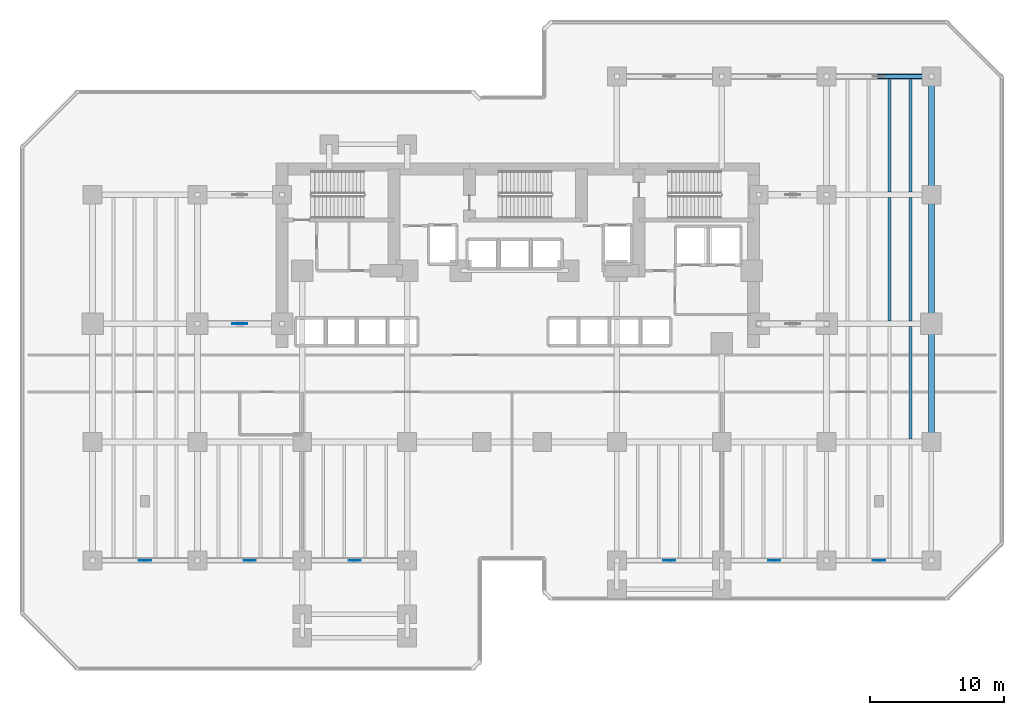
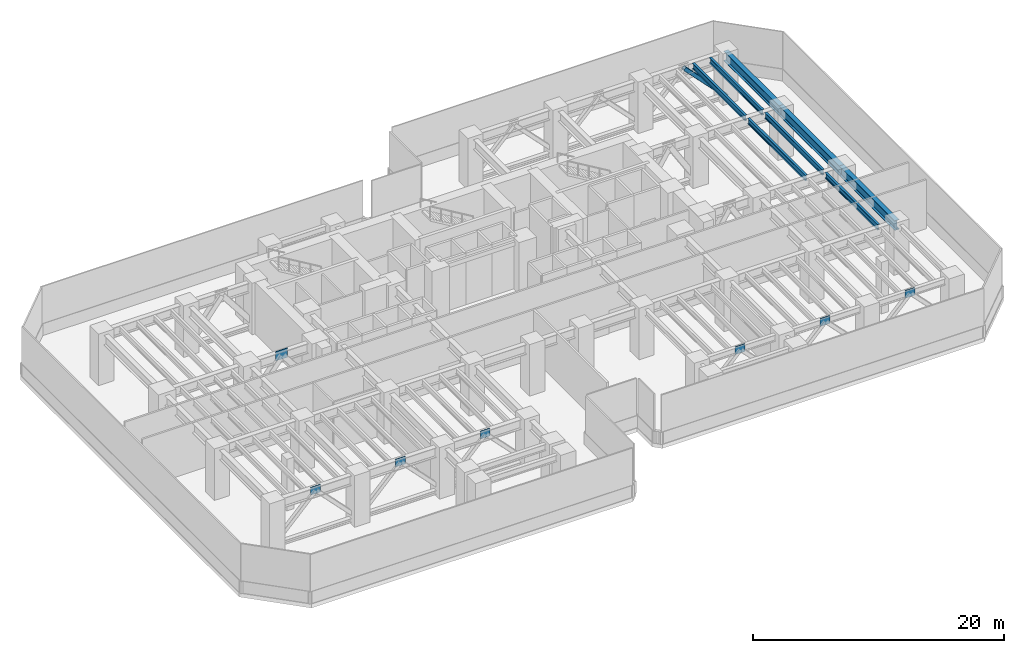
# One storey, part 3 of 13: 8 beams, 7 plates, 1 member.
"""IFC4 building model written with IfcOpenShell, lengths in metres."""

import ifcopenshell
import ifcopenshell.guid

model = None  # the IFC model being written
_history = None  # IfcOwnerHistory: only IFC2X3 demands one
_inside = {}  # id of a spatial element -> (the spatial element, [elements in it])
_under = {}  # id of a project, library or spatial element -> (it, [spatial elements below it])
_declared = {}  # id of a project -> (the project, [libraries it declares])
_typed = {}  # id of a type object -> (the type object, [elements of that type])
_made_of = {}  # id of a material, layer set ... -> (it, [elements and type objects made of it])


def new_model(schema):
    """Start an empty IFC model of exactly this schema.

    Asked for "IFC4X3", IfcOpenShell would pick the latest addendum, in which some entities
    have other attributes; the version numbers below select the first issue.
    IFC2X3 requires an IfcOwnerHistory on every rooted entity: one is made here for all.
    """
    global model, _history
    if schema == "IFC4X3":
        model = ifcopenshell.file(schema_version=(4, 3, 0, 0))
    else:
        model = ifcopenshell.file(schema=schema)
    _inside.clear()
    _under.clear()
    _declared.clear()
    _typed.clear()
    _made_of.clear()
    _history = None
    if model.schema == "IFC2X3":
        org = make("IfcOrganization", Name="unknown")
        user = make(
            "IfcPersonAndOrganization",
            ThePerson=make("IfcPerson", FamilyName="unknown"),
            TheOrganization=org,
        )
        app = make(
            "IfcApplication",
            ApplicationDeveloper=org,
            Version="unknown",
            ApplicationFullName="unknown",
            ApplicationIdentifier="unknown",
        )
        _history = make(
            "IfcOwnerHistory",
            OwningUser=user,
            OwningApplication=app,
            ChangeAction="ADDED",
            CreationDate=0,
        )
    return model


def make(cls, **values):
    """One entity of the class cls with the attributes given. An attribute that is None is left unset."""
    return model.create_entity(
        cls, **{name: value for name, value in values.items() if value is not None}
    )


def rooted(cls, **values):
    """An entity with a GlobalId (a new one), such as an element, a storey or a relation."""
    return make(cls, GlobalId=ifcopenshell.guid.new(), OwnerHistory=_history, **values)


def si_unit(unit_type, name, prefix=None):
    """IfcSIUnit, for example si_unit("LENGTHUNIT", "METRE", prefix="MILLI")."""
    return make("IfcSIUnit", UnitType=unit_type, Prefix=prefix, Name=name)


def assignment(units):
    """IfcUnitAssignment: the units of a project."""
    return None if units is None else make("IfcUnitAssignment", Units=units)


def point(xyz):
    """IfcCartesianPoint."""
    return None if xyz is None else make("IfcCartesianPoint", Coordinates=xyz)


def direction(xyz):
    """IfcDirection."""
    return None if xyz is None else make("IfcDirection", DirectionRatios=xyz)


def frame(location, z_axis=None, x_axis=None):
    """IfcAxis2Placement3D, a coordinate frame: its origin and axes. An axis left out is left unset."""
    return make(
        "IfcAxis2Placement3D",
        Location=point(location),
        Axis=direction(z_axis),
        RefDirection=direction(x_axis),
    )


def frame_2d(location, x_axis=None):
    """IfcAxis2Placement2D, a coordinate frame in the plane: its origin and x axis."""
    return make(
        "IfcAxis2Placement2D", Location=point(location), RefDirection=direction(x_axis)
    )


def origin():
    """The frame at (0, 0, 0) with its axes left unset."""
    return frame((0.0, 0.0, 0.0))


def origin_2d():
    """The frame at (0, 0) in the plane with its x axis left unset."""
    return frame_2d((0.0, 0.0))


def place(relative_to, where):
    """IfcLocalPlacement: puts the frame where relative to a parent placement (None: the world)."""
    return make(
        "IfcLocalPlacement", PlacementRelTo=relative_to, RelativePlacement=where
    )


def context(
    kind, dimensions, precision=None, world=None, true_north=None, identifier=None
):
    """IfcGeometricRepresentationContext, for example the 3D "Model" context."""
    return make(
        "IfcGeometricRepresentationContext",
        ContextIdentifier=identifier,
        ContextType=kind,
        CoordinateSpaceDimension=dimensions,
        Precision=precision,
        WorldCoordinateSystem=world,
        TrueNorth=true_north,
    )


def subcontext(parent, identifier, kind, view, scale=None):
    """IfcGeometricRepresentationSubContext, for example "Body" below "Model"."""
    return make(
        "IfcGeometricRepresentationSubContext",
        ContextIdentifier=identifier,
        ContextType=kind,
        ParentContext=parent,
        TargetScale=scale,
        TargetView=view,
    )


def project(units=None, contexts=None):
    """IfcProject with its units and contexts."""
    return rooted(
        "IfcProject",
        Name="project",
        RepresentationContexts=contexts,
        UnitsInContext=assignment(units),
    )


def spatial(cls, under=None, at=None, **own):
    """A site, building, storey or space (cls), placed at a placement, below another one or the project."""
    s = rooted(cls, ObjectPlacement=at, **own)
    if under is not None:
        _under.setdefault(under.id(), (under, []))[1].append(s)
    return s


def profile(cls, at=None, kind="AREA", **sizes):
    """A parametric profile (cls). Its sizes go by their IFC names, for example OverallWidth=200.0."""
    return make(cls, ProfileType=kind, Position=at, **sizes)


def rectangle(**sizes):
    """IfcRectangleProfileDef."""
    return profile("IfcRectangleProfileDef", **sizes)


def hollow_rectangle(**sizes):
    """IfcRectangleHollowProfileDef."""
    return profile("IfcRectangleHollowProfileDef", **sizes)


def i_section(**sizes):
    """IfcIShapeProfileDef."""
    return profile("IfcIShapeProfileDef", **sizes)


def extrude(swept, where, along, depth):
    """IfcExtrudedAreaSolid: the profile swept, set in the frame where, extruded along a direction by depth."""
    return make(
        "IfcExtrudedAreaSolid",
        SweptArea=swept,
        Position=where,
        ExtrudedDirection=direction(along),
        Depth=depth,
    )


def shape(context_of_items, identifier, shape_type, items):
    """IfcShapeRepresentation: the items that make up one representation, for example the "Body"."""
    return make(
        "IfcShapeRepresentation",
        ContextOfItems=context_of_items,
        RepresentationIdentifier=identifier,
        RepresentationType=shape_type,
        Items=items,
    )


def material(Name=None, Category=None):
    """IfcMaterial."""
    return make("IfcMaterial", Name=Name, Category=Category)


def layer(
    of_material, thickness, ventilated=None, Name=None, Category=None, Priority=None
):
    """IfcMaterialLayer: one layer of a wall or slab, of a material (None: an air gap)."""
    return make(
        "IfcMaterialLayer",
        Material=of_material,
        LayerThickness=thickness,
        IsVentilated=ventilated,
        Name=Name,
        Category=Category,
        Priority=Priority,
    )


def layer_set(layers, Name=None):
    """IfcMaterialLayerSet."""
    return make("IfcMaterialLayerSet", MaterialLayers=layers, LayerSetName=Name)


def material_profile(
    of_material, cross_section, Name=None, Category=None, Priority=None
):
    """IfcMaterialProfile: a cross section and its material."""
    return make(
        "IfcMaterialProfile",
        Name=Name,
        Material=of_material,
        Profile=cross_section,
        Priority=Priority,
        Category=Category,
    )


def profile_set(profiles, Name=None, composite=None):
    """IfcMaterialProfileSet."""
    return make(
        "IfcMaterialProfileSet",
        Name=Name,
        MaterialProfiles=profiles,
        CompositeProfile=composite,
    )


def made_of(thing, what):
    """Note that an element or type object is made of a material, layer set ...; save() writes the relation."""
    if what is not None:
        _made_of.setdefault(what.id(), (what, []))[1].append(thing)
    return thing


def type_object(cls, material=None, **own):
    """A type object (cls), such as IfcWallType, which elements share."""
    return made_of(rooted(cls, **own), material)


def element(
    cls,
    number,
    at=None,
    inside=None,
    cuts=None,
    type_object=None,
    material=None,
    context=None,
    identifier="Body",
    shape_type=None,
    held_by="IfcProductDefinitionShape",
    body=None,
    shapes=None,
    **own,
):
    """One element of the class cls, such as IfcWall. Its Tag is "e" and its number.

    at: its placement. inside: the storey or other place that contains it. cuts: it is an
    opening in that element (IfcRelVoidsElement). A single representation is given by context,
    identifier, shape_type and body (its items); several are given by shapes. held_by: the class
    of the entity that holds the representations. save() writes the other relations.
    """
    e = rooted(cls, Tag="e%d" % number, ObjectPlacement=at, **own)
    if body is not None:
        shapes = [shape(context, identifier, shape_type, body)]
    if shapes is not None:
        e.Representation = make(held_by, Representations=shapes)
    if inside is not None:
        _inside.setdefault(inside.id(), (inside, []))[1].append(e)
    if cuts is not None:
        rooted(
            "IfcRelVoidsElement", RelatingBuildingElement=cuts, RelatedOpeningElement=e
        )
    if type_object is not None:
        _typed.setdefault(type_object.id(), (type_object, []))[1].append(e)
    return made_of(e, material)


def aggregate(whole, parts):
    """IfcRelAggregates: a whole, such as a stair, and the parts it consists of."""
    return rooted("IfcRelAggregates", RelatingObject=whole, RelatedObjects=parts)


def save(model, path):
    """Write the relations noted so far, then the file.

    IfcRelAggregates (storeys below a building ...), IfcRelContainedInSpatialStructure (elements
    in a storey), IfcRelDefinesByType, IfcRelAssociatesMaterial and IfcRelDeclares: one each for
    every whole, place, type object, material and project.
    """
    for whole, parts in _under.values():
        aggregate(whole, parts)
    for where, things in _inside.values():
        rooted(
            "IfcRelContainedInSpatialStructure",
            RelatedElements=things,
            RelatingStructure=where,
        )
    for kind, things in _typed.values():
        rooted("IfcRelDefinesByType", RelatedObjects=things, RelatingType=kind)
    for what, things in _made_of.values():
        rooted("IfcRelAssociatesMaterial", RelatedObjects=things, RelatingMaterial=what)
    for by, libraries in _declared.values():
        rooted("IfcRelDeclares", RelatingContext=by, RelatedDefinitions=libraries)
    model.write(path)


model = new_model("IFC4")

# Units and contexts
model_context = context("Model", 3, precision=1e-05, world=origin(), true_north=direction((0.0, 1.0)))
body_context = subcontext(model_context, "Body", "Model", "MODEL_VIEW")
ifc_project = project(units=[si_unit("LENGTHUNIT", "METRE"), si_unit("AREAUNIT", "SQUARE_METRE"), si_unit("VOLUMEUNIT", "CUBIC_METRE"), si_unit("PLANEANGLEUNIT", "RADIAN"), si_unit("MASSUNIT", "GRAM", prefix="KILO")], contexts=[model_context])

# Site, building, storey
site_placement = place(None, origin())
site = spatial("IfcSite", under=ifc_project, at=site_placement, CompositionType="ELEMENT")
building_placement = place(site_placement, origin())
building = spatial("IfcBuilding", under=site, at=building_placement, Name="Kestravale Grand Hotel", CompositionType="ELEMENT")
storey_placement = place(building_placement, frame((0.0, 0.0, 75.39990234375)))
storey = spatial("IfcBuildingStorey", under=building, at=storey_placement, Name="L18", CompositionType="ELEMENT", Elevation=75.39990234375)

# Beams
ifc_material_1 = material(Name="Steel ASTM A992 Grade 50", Category="steel")
ifc_material_profile_1 = material_profile(ifc_material_1, i_section(OverallWidth=0.2099609375, OverallDepth=0.535888671875, WebThickness=0.010986328125, FlangeThickness=0.017333984375, FilletRadius=0.017578125, at=origin_2d()))
ifc_profile_set_1 = profile_set([ifc_material_profile_1], Name="Steel ASTM A992 Grade 50")
beam_type_1 = type_object("IfcBeamType", Name="B-FLR-JST21", PredefinedType="JOIST", material=ifc_profile_set_1)
beam_1_placement = place(storey_placement, frame((68.639892578125, 20.2119140625, 4.442138671875), z_axis=(0.0, 1.0, 0.0), x_axis=(-1.0, 0.0, 0.0)))
element("IfcBeam", 1, at=beam_1_placement, inside=storey, type_object=beam_type_1, Name="L18 floor joist 10-11/D-E #4", PredefinedType="JOIST", context=body_context, shape_type="SweptSolid", body=[
    extrude(i_section(OverallWidth=0.2099609375, OverallDepth=0.535888671875, WebThickness=0.010986328125, FlangeThickness=0.017333984375, FilletRadius=0.017578125, at=origin_2d()), origin(), (0.0, 0.0, 1.0), 8.3759765625),
])
for number, where, z_axis, x_axis, name in (
    (2, (67.080078125, 29.011962890625, 4.442138671875), (0.0, 1.0, 0.0), (-1.0, 0.0, 0.0), "L18 floor joist 10-11/E-F #3"),
    (3, (68.639892578125, 29.011962890625, 4.442138671875), (0.0, 1.0, 0.0), (-1.0, 0.0, 0.0), "L18 floor joist 10-11/E-F #4"),
):
    element("IfcBeam", number, at=place(storey_placement, frame(where, z_axis=z_axis, x_axis=x_axis)), inside=storey, type_object=beam_type_1, Name=name, PredefinedType="JOIST", context=body_context, shape_type="SweptSolid", body=[
        extrude(i_section(OverallWidth=0.2099609375, OverallDepth=0.535888671875, WebThickness=0.010986328125, FlangeThickness=0.017333984375, FilletRadius=0.017578125, at=origin_2d()), origin(), (0.0, 0.0, 1.0), 9.176025390625),
    ])
for number, where, z_axis, x_axis, name in (
    (4, (67.080078125, 38.612060546875, 4.442138671875), (0.0, 1.0, 0.0), (-1.0, 0.0, 0.0), "L18 floor joist 10-11/F-G #3"),
    (5, (68.639892578125, 38.612060546875, 4.442138671875), (0.0, 1.0, 0.0), (-1.0, 0.0, 0.0), "L18 floor joist 10-11/F-G #4"),
):
    element("IfcBeam", number, at=place(storey_placement, frame(where, z_axis=z_axis, x_axis=x_axis)), inside=storey, type_object=beam_type_1, Name=name, PredefinedType="JOIST", context=body_context, shape_type="SweptSolid", body=[
        extrude(i_section(OverallWidth=0.2099609375, OverallDepth=0.535888671875, WebThickness=0.010986328125, FlangeThickness=0.017333984375, FilletRadius=0.017578125, at=origin_2d()), origin(), (0.0, 0.0, 1.0), 8.3759765625),
    ])
ifc_material_2 = material(Name="Steel ASTM A992 Grade 50", Category="steel")
ifc_material_profile_2 = material_profile(ifc_material_2, i_section(OverallWidth=0.424072265625, OverallDepth=0.947021484375, WebThickness=0.02392578125, FlangeThickness=0.042724609375, FilletRadius=0.0283203125, at=origin_2d()))
ifc_profile_set_2 = profile_set([ifc_material_profile_2], Name="Steel ASTM A992 Grade 50")
beam_type_2 = type_object("IfcBeamType", Name="B-GRD-W36", PredefinedType="BEAM", material=ifc_profile_set_2)
beam_2_placement = place(storey_placement, frame((70.199951171875, 20.0, 4.236572265625), z_axis=(0.0, 1.0, 0.0), x_axis=(-1.0, 0.0, 0.0)))
element("IfcBeam", 6, at=beam_2_placement, inside=storey, type_object=beam_type_2, Name="L18 girder 11:D-E", PredefinedType="BEAM", context=body_context, shape_type="SweptSolid", body=[
    extrude(i_section(OverallWidth=0.424072265625, OverallDepth=0.947021484375, WebThickness=0.02392578125, FlangeThickness=0.042724609375, FilletRadius=0.0283203125, at=origin_2d()), origin(), (0.0, 0.0, 1.0), 8.800048828125),
])
beam_3_placement = place(storey_placement, frame((70.199951171875, 28.800048828125, 4.236572265625), z_axis=(0.0, 1.0, 0.0), x_axis=(-1.0, 0.0, 0.0)))
element("IfcBeam", 7, at=beam_3_placement, inside=storey, type_object=beam_type_2, Name="L18 girder 11:E-F", PredefinedType="BEAM", context=body_context, shape_type="SweptSolid", body=[
    extrude(i_section(OverallWidth=0.424072265625, OverallDepth=0.947021484375, WebThickness=0.02392578125, FlangeThickness=0.042724609375, FilletRadius=0.0283203125, at=origin_2d()), origin(), (0.0, 0.0, 1.0), 9.599853515625),
])
beam_4_placement = place(storey_placement, frame((70.199951171875, 38.39990234375, 4.236572265625), z_axis=(0.0, 1.0, 0.0), x_axis=(-1.0, 0.0, 0.0)))
element("IfcBeam", 8, at=beam_4_placement, inside=storey, type_object=beam_type_2, Name="L18 girder 11:F-G", PredefinedType="BEAM", context=body_context, shape_type="SweptSolid", body=[
    extrude(i_section(OverallWidth=0.424072265625, OverallDepth=0.947021484375, WebThickness=0.02392578125, FlangeThickness=0.042724609375, FilletRadius=0.0283203125, at=origin_2d()), origin(), (0.0, 0.0, 1.0), 8.800048828125),
])

# Member
ifc_material_3 = material(Name="Steel ASTM A500 Grade C", Category="steel")
ifc_material_profile_3 = material_profile(ifc_material_3, hollow_rectangle(XDim=0.35009765625, YDim=0.35009765625, WallThickness=0.01611328125, InnerFilletRadius=0.01611328125, OuterFilletRadius=0.031982421875, at=origin_2d()))
ifc_profile_set_3 = profile_set([ifc_material_profile_3], Name="Steel ASTM A500 Grade C")
member_type = type_object("IfcMemberType", Name="M-BLT-HSS350", PredefinedType="BRACE", material=ifc_profile_set_3)
member_placement = place(storey_placement, frame((70.199951171875, 47.199951171875, 0.35009765625), z_axis=(-0.694897607575, 0.0, 0.719108694835), x_axis=(0.0, -1.0, 0.0)))
element("IfcMember", 9, at=member_placement, inside=storey, type_object=member_type, Name="L18 belt truss diagonal G:10-11 R", PredefinedType="BRACE", context=body_context, shape_type="SweptSolid", body=[
    extrude(hollow_rectangle(XDim=0.35009765625, YDim=0.35009765625, WallThickness=0.01611328125, InnerFilletRadius=0.01611328125, OuterFilletRadius=0.031982421875, at=origin_2d()), origin(), (0.0, 0.0, 1.0), 5.576416015625),
])

# Plates
ifc_material_4 = material(Name="Steel ASTM A572 Grade 50", Category="steel")
ifc_layer_1 = layer(ifc_material_4, 0.044921875)
ifc_layer_set_1 = layer_set([ifc_layer_1], Name="PL-GUS-45")
plate_type_1 = type_object("IfcPlateType", Name="PL-GUS-45", PredefinedType="USERDEFINED", material=ifc_layer_set_1)
for number, where, z_axis, x_axis, name in (
    (10, (11.699951171875, 11.199951171875, 3.985107421875), (0.0, 0.0, 1.0), (1.0, 0.0, 0.0), "L18 belt truss gusset C:2-3"),
    (11, (19.5, 11.199951171875, 3.985107421875), (0.0, 0.0, 1.0), (1.0, 0.0, 0.0), "L18 belt truss gusset C:3-4"),
    (12, (27.300048828125, 11.199951171875, 3.985107421875), (0.0, 0.0, 1.0), (1.0, 0.0, 0.0), "L18 belt truss gusset C:4-5"),
    (13, (50.699951171875, 11.199951171875, 3.985107421875), (0.0, 0.0, 1.0), (1.0, 0.0, 0.0), "L18 belt truss gusset C:8-9"),
    (14, (58.5, 11.199951171875, 3.985107421875), (0.0, 0.0, 1.0), (1.0, 0.0, 0.0), "L18 belt truss gusset C:9-10"),
    (15, (66.300048828125, 11.199951171875, 3.985107421875), (0.0, 0.0, 1.0), (1.0, 0.0, 0.0), "L18 belt truss gusset C:10-11"),
):
    element("IfcPlate", number, at=place(storey_placement, frame(where, z_axis=z_axis, x_axis=x_axis)), inside=storey, type_object=plate_type_1, Name=name, ObjectType="GUSSET PLATE", PredefinedType="USERDEFINED", context=body_context, shape_type="SweptSolid", body=[
        extrude(rectangle(XDim=0.89990234375, YDim=0.044921875, at=origin_2d()), origin(), (0.0, 0.0, 1.0), 0.75),
    ])
ifc_material_5 = material(Name="Steel ASTM A572 Grade 50", Category="steel")
ifc_layer_2 = layer(ifc_material_5, 0.06005859375)
ifc_layer_set_2 = layer_set([ifc_layer_2], Name="PL-GUS-60")
plate_type_2 = type_object("IfcPlateType", Name="PL-GUS-60", PredefinedType="USERDEFINED", material=ifc_layer_set_2)
plate_placement = place(storey_placement, frame((18.75, 28.800048828125, 3.91015625), z_axis=(0.0, 0.0, 1.0), x_axis=(1.0, 0.0, 0.0)))
element("IfcPlate", 16, at=plate_placement, inside=storey, type_object=plate_type_2, Name="L18 outrigger gusset plate W-E", ObjectType="GUSSET PLATE", PredefinedType="USERDEFINED", context=body_context, shape_type="SweptSolid", body=[
    extrude(rectangle(XDim=1.10009765625, YDim=0.06005859375, at=origin_2d()), origin(), (0.0, 0.0, 1.0), 0.89990234375),
])

save(model, "model.ifc")
